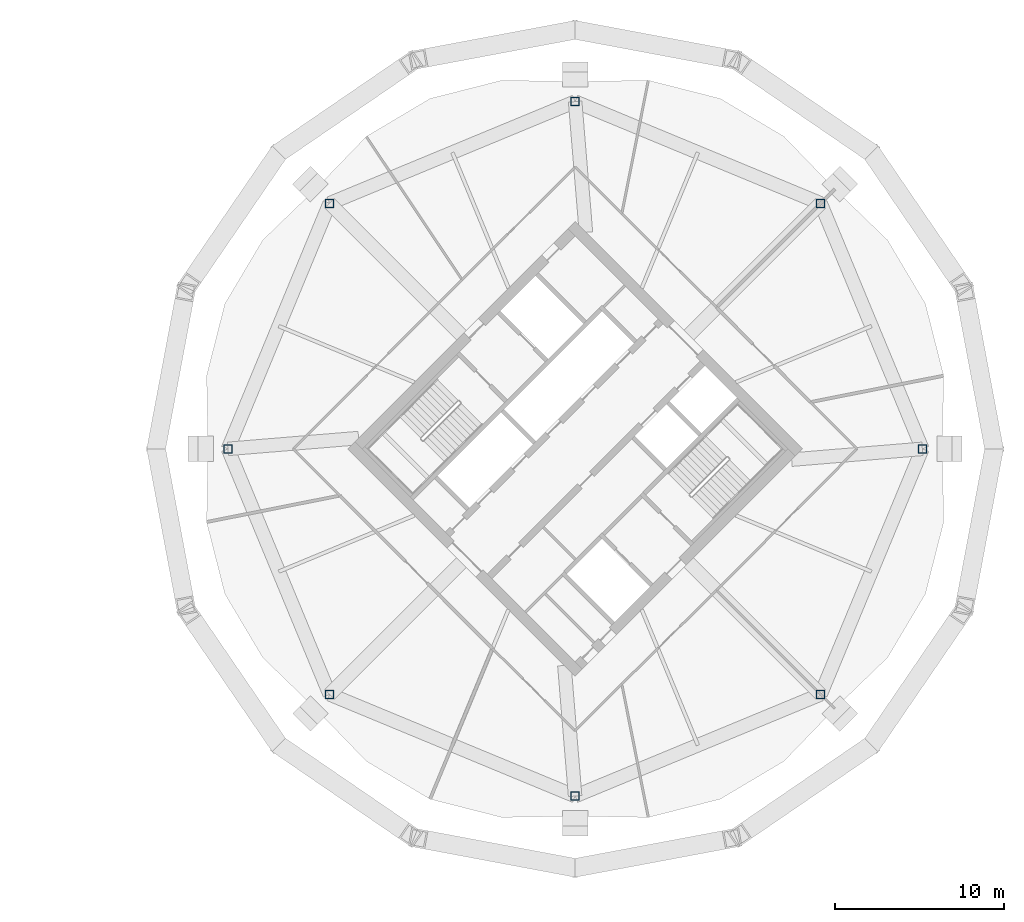
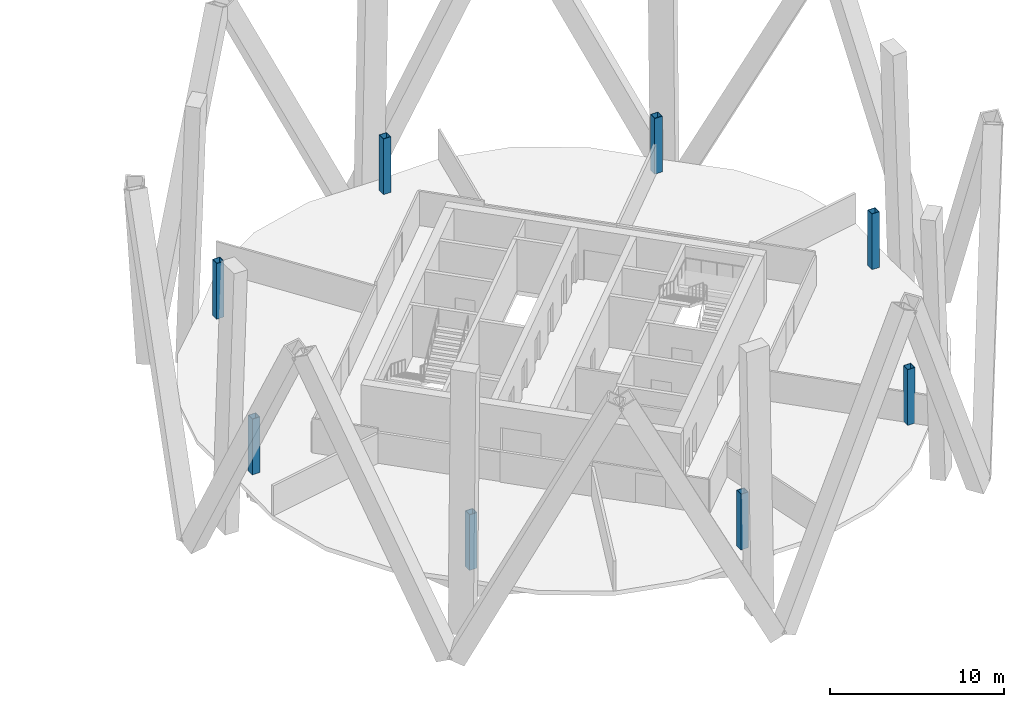
# One storey, part 2 of 10: 8 columns.
"""IFC4 building model written with IfcOpenShell, lengths in metres."""

from ifc_helpers import new_model, si_unit, direction, frame, origin, origin_2d, place, context, subcontext, project, spatial, hollow_rectangle, extrude, material, material_profile, profile_set, type_object, element, save


model = new_model("IFC4")

# Units and contexts
model_context = context("Model", 3, precision=1e-05, world=origin(), true_north=direction((0.0, 1.0)))
body_context = subcontext(model_context, "Body", "Model", "MODEL_VIEW")
ifc_project = project(units=[si_unit("LENGTHUNIT", "METRE"), si_unit("AREAUNIT", "SQUARE_METRE"), si_unit("VOLUMEUNIT", "CUBIC_METRE"), si_unit("PLANEANGLEUNIT", "RADIAN"), si_unit("MASSUNIT", "GRAM", prefix="KILO")], contexts=[model_context])

# Site, building, storey
site_placement = place(None, origin())
site = spatial("IfcSite", under=ifc_project, at=site_placement, CompositionType="ELEMENT")
building_placement = place(site_placement, origin())
building = spatial("IfcBuilding", under=site, at=building_placement, Name="Ogive Gate Towers", CompositionType="ELEMENT")
storey_placement = place(building_placement, frame((0.0, 0.0, 185.10009765625)))
storey = spatial("IfcBuildingStorey", under=building, at=storey_placement, Name="L44", CompositionType="ELEMENT", Elevation=185.10009765625)

# Columns
ifc_material = material(Name="Steel SM460", Category="steel")
ifc_material_profile = material_profile(ifc_material, hollow_rectangle(XDim=0.5, YDim=0.5, WallThickness=0.030029296875, at=origin_2d()), Name="BX 500x500x30")
ifc_profile_set = profile_set([ifc_material_profile], Name="Steel SM460")
column_type = type_object("IfcColumnType", Name="Perimeter post BX 500x500x30", PredefinedType="COLUMN", material=ifc_profile_set)
for number, where, z_axis, x_axis, name in (
    (1, (56.52001953125, 0.0, 0.0), (0.0, 0.0, 1.0), (1.0, 0.0, 0.0), "T2/L44/SCL001"),
    (2, (50.509765625, 14.509765625, 0.0), (0.0, 0.0, 1.0), (1.0, 0.0, 0.0), "T2/L44/SCL002"),
    (3, (36.0, 20.52001953125, 0.0), (0.0, 0.0, 1.0), (1.0, 0.0, 0.0), "T2/L44/SCL003"),
    (4, (21.490234375, 14.509765625, 0.0), (0.0, 0.0, 1.0), (1.0, 0.0, 0.0), "T2/L44/SCL004"),
    (5, (15.47998046875, 0.0, 0.0), (0.0, 0.0, 1.0), (1.0, 0.0, 0.0), "T2/L44/SCL005"),
    (6, (21.490234375, -14.509765625, 0.0), (0.0, 0.0, 1.0), (1.0, 0.0, 0.0), "T2/L44/SCL006"),
    (7, (36.0, -20.52001953125, 0.0), (0.0, 0.0, 1.0), (1.0, 0.0, 0.0), "T2/L44/SCL007"),
    (8, (50.509765625, -14.509765625, 0.0), (0.0, 0.0, 1.0), (1.0, 0.0, 0.0), "T2/L44/SCL008"),
):
    element("IfcColumn", number, at=place(storey_placement, frame(where, z_axis=z_axis, x_axis=x_axis)), inside=storey, type_object=column_type, Name=name, PredefinedType="COLUMN", context=body_context, shape_type="SweptSolid", body=[
        extrude(hollow_rectangle(XDim=0.5, YDim=0.5, WallThickness=0.030029296875, at=origin_2d()), origin(), (0.0, 0.0, 1.0), 3.89990234375),
    ])

save(model, "model.ifc")
